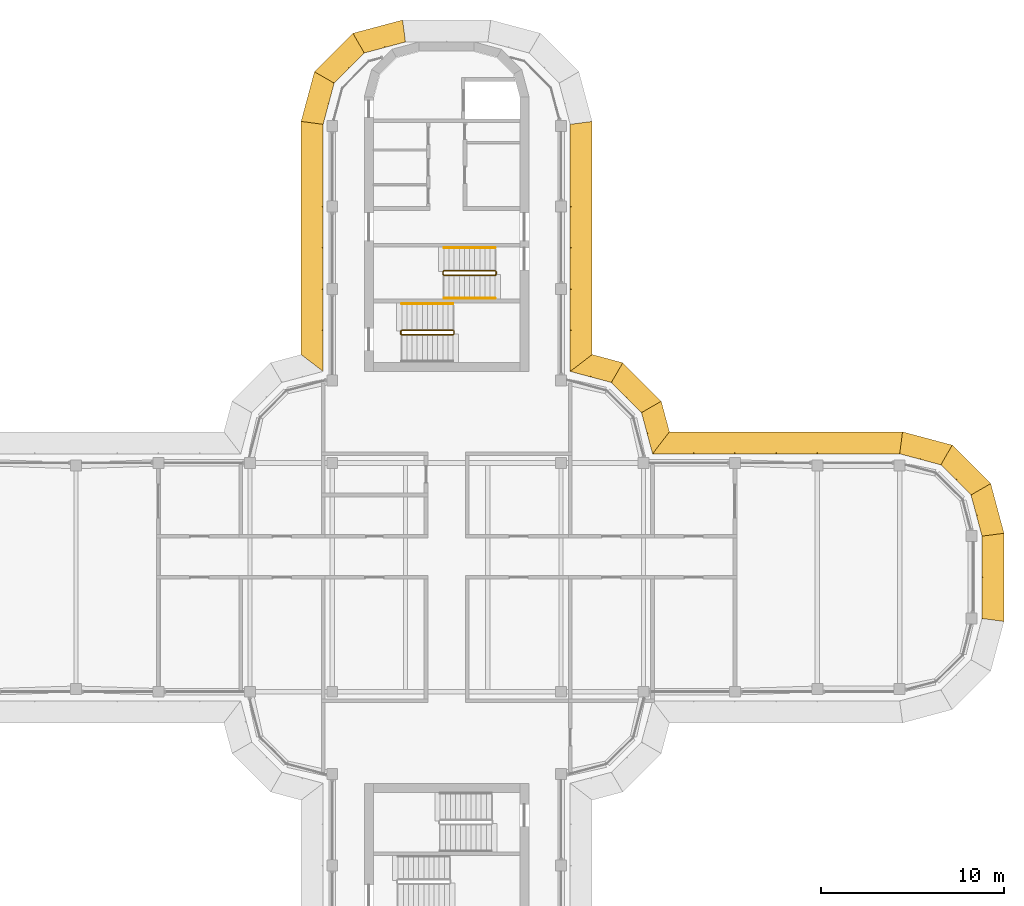
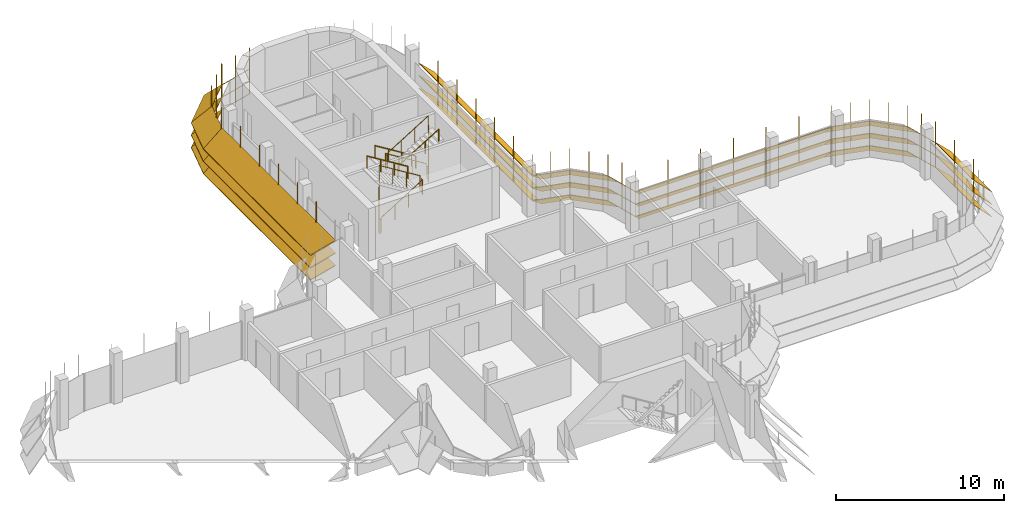
# One storey, part 18 of 19: 7 shading devices, 5 railings.
"""IFC4 building model written with IfcOpenShell, lengths in metres."""

from ifc_helpers import new_model, si_unit, direction, frame, origin, origin_2d, place, context, subcontext, project, spatial, polyline, circle, outline, extrude, faceted_brep, source, transform, mapped, material, type_object, element, save


model = new_model("IFC4")

# Units and contexts
model_context = context("Model", 3, precision=1e-05, world=origin(), true_north=direction((0.0, 1.0)))
body_context = subcontext(model_context, "Body", "Model", "MODEL_VIEW")
ifc_project = project(units=[si_unit("LENGTHUNIT", "METRE"), si_unit("AREAUNIT", "SQUARE_METRE"), si_unit("VOLUMEUNIT", "CUBIC_METRE"), si_unit("PLANEANGLEUNIT", "RADIAN"), si_unit("MASSUNIT", "GRAM", prefix="KILO")], contexts=[model_context])

# Site, building, storey
site_placement = place(None, origin())
site = spatial("IfcSite", under=ifc_project, at=site_placement, CompositionType="ELEMENT")
building_placement = place(site_placement, origin())
building = spatial("IfcBuilding", under=site, at=building_placement, Name="Zarbagh Exchange Tower", CompositionType="ELEMENT")
storey_placement = place(building_placement, frame((0.0, 0.0, 253.60009765625)))
storey = spatial("IfcBuildingStorey", under=building, at=storey_placement, Name="L62", CompositionType="ELEMENT", Elevation=253.60009765625)

# Railings
ifc_material_1 = material(Name="Stainless steel", Category="steel")
railing_type_1 = type_object("IfcRailingType", Name="Stair guard 1100 mm", PredefinedType="GUARDRAIL", material=ifc_material_1)
railing_1_placement = place(storey_placement, frame((2.64990234375, 16.75, 0.172607421875)))
element("IfcRailing", 1, at=railing_1_placement, inside=storey, type_object=railing_type_1, Name="ST1 stair guard 1", PredefinedType="GUARDRAIL", context=body_context, shape_type="SweptSolid", body=[
    extrude(circle(Radius=0.02392578125, at=origin_2d()), frame((0.0, 0.0, 1.076171875), z_axis=(-0.851069175582, 0.0, 0.525053576669), x_axis=(0.0, -1.0, 0.0)), (0.0, 0.0, 1.0), 3.289794921875),
    extrude(circle(Radius=0.02392578125, at=origin_2d()), frame((-2.7998046875, 0.0, 2.80322265625), z_axis=(-0.707106781187, -0.707106781187, 0.0), x_axis=(0.707106781187, -0.707106781187, 0.0)), (0.0, 0.0, 1.0), 0.07080078125),
    extrude(circle(Radius=0.02392578125, at=origin_2d()), frame((-2.849853515625, -0.050048828125, 2.80322265625), z_axis=(0.0, -1.0, 0.0), x_axis=(1.0, 0.0, 0.0)), (0.0, 0.0, 1.0), 0.14990234375),
    extrude(circle(Radius=0.02392578125, at=origin_2d()), frame((-2.849853515625, -0.199951171875, 2.80322265625), z_axis=(0.268277960024, -0.268277960024, 0.925231793839), x_axis=(0.707106781187, 0.707106781187, 0.0)), (0.0, 0.0, 1.0), 0.1865234375),
    extrude(circle(Radius=0.02392578125, at=origin_2d()), frame((-2.7998046875, -0.25, 2.97607421875), z_axis=(0.851069175582, 0.0, 0.525053576669), x_axis=(0.0, 1.0, 0.0)), (0.0, 0.0, 1.0), 3.289794921875),
    extrude(circle(Radius=0.02392578125, at=origin_2d()), frame((0.0, -0.25, 4.703125), z_axis=(0.013169136761, 0.013169136761, -0.999826558796), x_axis=(-0.707106781187, 0.707106781187, 0.0)), (0.0, 0.0, 1.0), 3.800537109375),
    extrude(circle(Radius=0.02392578125, at=origin_2d()), frame((0.050048828125, -0.199951171875, 0.9033203125), z_axis=(0.0, 1.0, 0.0), x_axis=(-1.0, 0.0, 0.0)), (0.0, 0.0, 1.0), 0.14990234375),
    extrude(circle(Radius=0.02099609375, at=origin_2d()), origin(), (0.0, 0.0, 1.0), 1.052001953125),
    extrude(circle(Radius=0.02099609375, at=origin_2d()), frame((-0.933349609375, 0.0, 0.57568359375)), (0.0, 0.0, 1.0), 1.052001953125),
    extrude(circle(Radius=0.02099609375, at=origin_2d()), frame((-1.866455078125, 0.0, 1.151611328125)), (0.0, 0.0, 1.0), 1.052001953125),
    extrude(circle(Radius=0.02099609375, at=origin_2d()), frame((-2.7998046875, 0.0, 1.727294921875)), (0.0, 0.0, 1.0), 1.052001953125),
    extrude(circle(Radius=0.02099609375, at=origin_2d()), frame((-2.849853515625, -0.050048828125, 1.727294921875)), (0.0, 0.0, 1.0), 1.052001953125),
    extrude(circle(Radius=0.02099609375, at=origin_2d()), frame((-2.849853515625, -0.199951171875, 1.727294921875)), (0.0, 0.0, 1.0), 1.052001953125),
    extrude(circle(Radius=0.02099609375, at=origin_2d()), frame((-2.7998046875, -0.25, 1.89990234375)), (0.0, 0.0, 1.0), 1.052001953125),
    extrude(circle(Radius=0.02099609375, at=origin_2d()), frame((-1.866455078125, -0.25, 2.4755859375)), (0.0, 0.0, 1.0), 1.052001953125),
    extrude(circle(Radius=0.02099609375, at=origin_2d()), frame((-0.933349609375, -0.25, 3.051513671875)), (0.0, 0.0, 1.0), 1.052001953125),
    extrude(circle(Radius=0.02099609375, at=origin_2d()), frame((0.0, -0.25, 3.627197265625)), (0.0, 0.0, 1.0), 1.052001953125),
    extrude(circle(Radius=0.02099609375, at=origin_2d()), frame((0.012451171875, -0.237548828125, 2.67724609375)), (0.0, 0.0, 1.0), 1.052001953125),
    extrude(circle(Radius=0.02099609375, at=origin_2d()), frame((0.02490234375, -0.22509765625, 1.727294921875)), (0.0, 0.0, 1.0), 1.052001953125),
    extrude(circle(Radius=0.02099609375, at=origin_2d()), frame((0.03759765625, -0.21240234375, 0.77734375)), (0.0, 0.0, 1.0), 1.052001953125),
    extrude(circle(Radius=0.02099609375, at=origin_2d()), frame((0.050048828125, -0.199951171875, -0.172607421875)), (0.0, 0.0, 1.0), 1.052001953125),
    extrude(circle(Radius=0.02099609375, at=origin_2d()), frame((0.050048828125, -0.050048828125, -0.172607421875)), (0.0, 0.0, 1.0), 1.052001953125),
])
railing_2_placement = place(storey_placement, frame((0.35009765625, 13.5, 2.072509765625)))
element("IfcRailing", 2, at=railing_2_placement, inside=storey, type_object=railing_type_1, Name="ST2 stair guard 1", PredefinedType="GUARDRAIL", context=body_context, shape_type="SweptSolid", body=[
    extrude(circle(Radius=0.02392578125, at=origin_2d()), frame((0.0, 0.0, 1.076171875), z_axis=(-0.851089632645, 0.0, 0.525020415988), x_axis=(0.0, -1.0, 0.0)), (0.0, 0.0, 1.0), 3.2900390625),
    extrude(circle(Radius=0.02392578125, at=origin_2d()), frame((-2.800048828125, 0.0, 2.80322265625), z_axis=(-0.013169136761, -0.013169136761, -0.999826558796), x_axis=(0.707106781187, -0.707106781187, 0.0)), (0.0, 0.0, 1.0), 3.800537109375),
    extrude(circle(Radius=0.02392578125, at=origin_2d()), frame((-2.85009765625, -0.050048828125, -0.99658203125), z_axis=(0.0, -1.0, 0.0), x_axis=(1.0, 0.0, 0.0)), (0.0, 0.0, 1.0), 0.14990234375),
    extrude(circle(Radius=0.02392578125, at=origin_2d()), frame((-2.85009765625, -0.199951171875, -0.99658203125), z_axis=(0.268277960024, -0.268277960024, 0.925231793839), x_axis=(0.707106781187, 0.707106781187, 0.0)), (0.0, 0.0, 1.0), 0.1865234375),
    extrude(circle(Radius=0.02392578125, at=origin_2d()), frame((-2.800048828125, -0.25, -0.82373046875), z_axis=(0.851089632645, 0.0, 0.525020415988), x_axis=(0.0, 1.0, 0.0)), (0.0, 0.0, 1.0), 3.2900390625),
    extrude(circle(Radius=0.02392578125, at=origin_2d()), frame((0.0, -0.25, 0.9033203125), z_axis=(0.705375805398, 0.708833529934, 0.0), x_axis=(-0.708833529934, 0.705375805398, 0.0)), (0.0, 0.0, 1.0), 0.070556640625),
    extrude(circle(Radius=0.02392578125, at=origin_2d()), frame((0.0498046875, -0.199951171875, 0.9033203125), z_axis=(0.0, 1.0, 0.0), x_axis=(-1.0, 0.0, 0.0)), (0.0, 0.0, 1.0), 0.14990234375),
    extrude(circle(Radius=0.02099609375, at=origin_2d()), origin(), (0.0, 0.0, 1.0), 1.052001953125),
    extrude(circle(Radius=0.02099609375, at=origin_2d()), frame((-0.933349609375, 0.0, 0.57568359375)), (0.0, 0.0, 1.0), 1.052001953125),
    extrude(circle(Radius=0.02099609375, at=origin_2d()), frame((-1.86669921875, 0.0, 1.151611328125)), (0.0, 0.0, 1.0), 1.052001953125),
    extrude(circle(Radius=0.02099609375, at=origin_2d()), frame((-2.800048828125, 0.0, 1.727294921875)), (0.0, 0.0, 1.0), 1.052001953125),
    extrude(circle(Radius=0.02099609375, at=origin_2d()), frame((-2.8125, -0.012451171875, 0.77734375)), (0.0, 0.0, 1.0), 1.052001953125),
    extrude(circle(Radius=0.02099609375, at=origin_2d()), frame((-2.8251953125, -0.02490234375, -0.172607421875)), (0.0, 0.0, 1.0), 1.052001953125),
    extrude(circle(Radius=0.02099609375, at=origin_2d()), frame((-2.837646484375, -0.03759765625, -1.12255859375)), (0.0, 0.0, 1.0), 1.052001953125),
    extrude(circle(Radius=0.02099609375, at=origin_2d()), frame((-2.85009765625, -0.050048828125, -2.072509765625)), (0.0, 0.0, 1.0), 1.052001953125),
    extrude(circle(Radius=0.02099609375, at=origin_2d()), frame((-2.85009765625, -0.199951171875, -2.072509765625)), (0.0, 0.0, 1.0), 1.052001953125),
    extrude(circle(Radius=0.02099609375, at=origin_2d()), frame((-2.800048828125, -0.25, -1.89990234375)), (0.0, 0.0, 1.0), 1.052001953125),
    extrude(circle(Radius=0.02099609375, at=origin_2d()), frame((-1.86669921875, -0.25, -1.32421875)), (0.0, 0.0, 1.0), 1.052001953125),
    extrude(circle(Radius=0.02099609375, at=origin_2d()), frame((-0.933349609375, -0.25, -0.748291015625)), (0.0, 0.0, 1.0), 1.052001953125),
    extrude(circle(Radius=0.02099609375, at=origin_2d()), frame((0.0, -0.25, -0.172607421875)), (0.0, 0.0, 1.0), 1.052001953125),
    extrude(circle(Radius=0.02099609375, at=origin_2d()), frame((0.0498046875, -0.199951171875, -0.172607421875)), (0.0, 0.0, 1.0), 1.052001953125),
    extrude(circle(Radius=0.02099609375, at=origin_2d()), frame((0.0498046875, -0.050048828125, -0.172607421875)), (0.0, 0.0, 1.0), 1.052001953125),
])
railing_type_2 = type_object("IfcRailingType", Name="Stair handrail 900 mm", PredefinedType="HANDRAIL", material=ifc_material_1)
railing_3_placement = place(storey_placement, frame((2.64990234375, 18.0, 0.172607421875)))
element("IfcRailing", 3, at=railing_3_placement, inside=storey, type_object=railing_type_2, Name="ST1 stair handrail 1", PredefinedType="HANDRAIL", context=body_context, shape_type="SweptSolid", body=[
    extrude(circle(Radius=0.02392578125, at=origin_2d()), frame((0.0, 0.0, 0.8759765625), z_axis=(-0.851069175582, 0.0, 0.525053576669), x_axis=(0.0, -1.0, 0.0)), (0.0, 0.0, 1.0), 3.289794921875),
    extrude(circle(Radius=0.02099609375, at=origin_2d()), origin(), (0.0, 0.0, 1.0), 0.851806640625),
    extrude(circle(Radius=0.02099609375, at=origin_2d()), frame((-0.933349609375, 0.0, 0.57568359375)), (0.0, 0.0, 1.0), 0.851806640625),
    extrude(circle(Radius=0.02099609375, at=origin_2d()), frame((-1.866455078125, 0.0, 1.151611328125)), (0.0, 0.0, 1.0), 0.851806640625),
    extrude(circle(Radius=0.02099609375, at=origin_2d()), frame((-2.7998046875, 0.0, 1.727294921875)), (0.0, 0.0, 1.0), 0.851806640625),
])
railing_4_placement = place(storey_placement, frame((-0.14990234375, 15.25, 2.072509765625)))
element("IfcRailing", 4, at=railing_4_placement, inside=storey, type_object=railing_type_2, Name="ST1 stair handrail 2", PredefinedType="HANDRAIL", context=body_context, shape_type="SweptSolid", body=[
    extrude(circle(Radius=0.02392578125, at=origin_2d()), frame((0.0, 0.0, 0.8759765625), z_axis=(0.851069175582, 0.0, 0.525053576669), x_axis=(0.0, 1.0, 0.0)), (0.0, 0.0, 1.0), 3.289794921875),
    extrude(circle(Radius=0.02099609375, at=origin_2d()), origin(), (0.0, 0.0, 1.0), 0.851806640625),
    extrude(circle(Radius=0.02099609375, at=origin_2d()), frame((0.933349609375, 0.0, 0.57568359375)), (0.0, 0.0, 1.0), 0.851806640625),
    extrude(circle(Radius=0.02099609375, at=origin_2d()), frame((1.866455078125, 0.0, 1.151611328125)), (0.0, 0.0, 1.0), 0.851806640625),
    extrude(circle(Radius=0.02099609375, at=origin_2d()), frame((2.7998046875, 0.0, 1.727294921875)), (0.0, 0.0, 1.0), 0.851806640625),
])
railing_5_placement = place(storey_placement, frame((0.35009765625, 14.949951171875, 2.072509765625)))
element("IfcRailing", 5, at=railing_5_placement, inside=storey, type_object=railing_type_2, Name="ST2 stair handrail 2", PredefinedType="HANDRAIL", context=body_context, shape_type="SweptSolid", body=[
    extrude(circle(Radius=0.02392578125, at=origin_2d()), frame((0.0, 0.0, 0.8759765625), z_axis=(-0.851089632645, 0.0, 0.525020415988), x_axis=(0.0, -1.0, 0.0)), (0.0, 0.0, 1.0), 3.2900390625),
    extrude(circle(Radius=0.02099609375, at=origin_2d()), origin(), (0.0, 0.0, 1.0), 0.851806640625),
    extrude(circle(Radius=0.02099609375, at=origin_2d()), frame((-0.933349609375, 0.0, 0.57568359375)), (0.0, 0.0, 1.0), 0.851806640625),
    extrude(circle(Radius=0.02099609375, at=origin_2d()), frame((-1.86669921875, 0.0, 1.151611328125)), (0.0, 0.0, 1.0), 0.851806640625),
    extrude(circle(Radius=0.02099609375, at=origin_2d()), frame((-2.800048828125, 0.0, 1.727294921875)), (0.0, 0.0, 1.0), 0.851806640625),
])

# Shading devices
ifc_material_2 = material(Name="Anodised aluminium blades and brackets", Category="aluminium")
shading_device_type = type_object("IfcShadingDeviceType", Name="SUNSHADE louvre band, 45 degree blades", PredefinedType="JALOUSIE", material=ifc_material_2)
shared_shape_1 = source(origin(), body_context, "Body", "Brep", [
    faceted_brep([(0.0, 0.0, 0.0), (0.0, 0.0, -0.056640625), (-0.157958984375, -1.199951171875, -1.256591796875), (-0.157958984375, -1.199951171875, -1.199951171875), (2.65087890625, -1.199951171875, -1.199951171875), (2.65087890625, -1.199951171875, -1.256591796875), (2.329345703125, 0.0, -0.056640625), (2.329345703125, 0.0, 0.0)], [[[0, 1, 2, 3]], [[4, 5, 6, 7]], [[0, 7, 6, 1]], [[1, 6, 5, 2]], [[2, 5, 4, 3]], [[3, 4, 7, 0]]]),
])
shared_shape_2 = source(origin(), body_context, "Body", "Brep", [
    faceted_brep([(0.0, 0.0, 0.0), (0.0, 0.0, -0.056640625), (-0.321533203125, -1.199951171875, -1.256591796875), (-0.321533203125, -1.199951171875, -1.199951171875), (2.65087890625, -1.199951171875, -1.199951171875), (2.65087890625, -1.199951171875, -1.256591796875), (2.329345703125, 0.0, -0.056640625), (2.329345703125, 0.0, 0.0)], [[[0, 1, 2, 3]], [[4, 5, 6, 7]], [[0, 7, 6, 1]], [[1, 6, 5, 2]], [[2, 5, 4, 3]], [[3, 4, 7, 0]]]),
])
shared_shape_3 = source(origin(), body_context, "Body", "Brep", [
    faceted_brep([(0.0, 0.0, 0.0), (0.0, 0.0, -0.056640625), (-0.321533203125, -1.199951171875, -1.256591796875), (-0.321533203125, -1.199951171875, -1.199951171875), (2.4873046875, -1.199951171875, -1.199951171875), (2.4873046875, -1.199951171875, -1.256591796875), (2.329345703125, 0.0, -0.056640625), (2.329345703125, 0.0, 0.0)], [[[0, 1, 2, 3]], [[4, 5, 6, 7]], [[0, 7, 6, 1]], [[1, 6, 5, 2]], [[2, 5, 4, 3]], [[3, 4, 7, 0]]]),
])
shared_shape_4 = source(origin(), body_context, "Body", "SweptSolid", [
    extrude(outline(polyline([(0.0, -0.012451171875), (0.06005859375, -0.012451171875), (0.06005859375, 0.012451171875), (0.0, 0.012451171875), (0.0, -0.012451171875)])), origin(), (0.0, 0.0, 1.0), 3.366455078125),
])
placement = place(storey_placement, origin())
element("IfcShadingDevice", 6, at=placement, inside=storey, type_object=shading_device_type, Name="SS53 sunshade band", PredefinedType="JALOUSIE", context=body_context, shape_type="MappedRepresentation", body=[
    mapped(shared_shape_1, transform((29.25, 2.25, 2.2998046875), x_axis=(-0.258824779902, 0.965924289636, 0.0), y_axis=(-0.965924289636, -0.258824779902, 0.0), z_axis=(0.0, 0.0, 1.0))),
    mapped(shared_shape_1, transform((29.25, 2.25, 1.39990234375), x_axis=(-0.258824779902, 0.965924289636, 0.0), y_axis=(-0.965924289636, -0.258824779902, 0.0), z_axis=(0.0, 0.0, 1.0))),
    mapped(shared_shape_1, transform((29.25, 2.25, 0.5), x_axis=(-0.258824779902, 0.965924289636, 0.0), y_axis=(-0.965924289636, -0.258824779902, 0.0), z_axis=(0.0, 0.0, 1.0))),
    mapped(shared_shape_2, transform((28.647216796875, 4.5, 2.2998046875), x_axis=(-0.707106781187, 0.707106781187, 0.0), y_axis=(-0.707106781187, -0.707106781187, 0.0), z_axis=(0.0, 0.0, 1.0))),
    mapped(shared_shape_2, transform((28.647216796875, 4.5, 1.39990234375), x_axis=(-0.707106781187, 0.707106781187, 0.0), y_axis=(-0.707106781187, -0.707106781187, 0.0), z_axis=(0.0, 0.0, 1.0))),
    mapped(shared_shape_2, transform((28.647216796875, 4.5, 0.5), x_axis=(-0.707106781187, 0.707106781187, 0.0), y_axis=(-0.707106781187, -0.707106781187, 0.0), z_axis=(0.0, 0.0, 1.0))),
    mapped(shared_shape_3, transform((27.0, 6.147216796875, 2.2998046875), x_axis=(-0.965924289636, 0.258824779902, 0.0), y_axis=(-0.258824779902, -0.965924289636, 0.0), z_axis=(0.0, 0.0, 1.0))),
    mapped(shared_shape_3, transform((27.0, 6.147216796875, 1.39990234375), x_axis=(-0.965924289636, 0.258824779902, 0.0), y_axis=(-0.258824779902, -0.965924289636, 0.0), z_axis=(0.0, 0.0, 1.0))),
    mapped(shared_shape_3, transform((27.0, 6.147216796875, 0.5), x_axis=(-0.965924289636, 0.258824779902, 0.0), y_axis=(-0.258824779902, -0.965924289636, 0.0), z_axis=(0.0, 0.0, 1.0))),
    mapped(shared_shape_4, transform((29.25, 2.25, 0.413330078125), x_axis=(0.991444457092, 0.130529263012, 0.0), y_axis=(-0.130529263012, 0.991444457092, 0.0), z_axis=(0.0, 0.0, 1.0))),
    mapped(shared_shape_4, transform((28.948486328125, 3.375, 0.413330078125), x_axis=(0.96592421511, 0.258825058029, 0.0), y_axis=(-0.258825058029, 0.96592421511, 0.0), z_axis=(0.0, 0.0, 1.0))),
    mapped(shared_shape_4, transform((28.647216796875, 4.5, 0.413330078125), x_axis=(0.866023812018, 0.50000275701, 0.0), y_axis=(-0.50000275701, 0.866023812018, 0.0), z_axis=(0.0, 0.0, 1.0))),
    mapped(shared_shape_4, transform((27.823486328125, 5.323486328125, 0.413330078125), x_axis=(0.707106781187, 0.707106781187, 0.0), y_axis=(-0.707106781187, 0.707106781187, 0.0), z_axis=(0.0, 0.0, 1.0))),
    mapped(shared_shape_4, transform((27.0, 6.147216796875, 0.413330078125), x_axis=(0.50000275701, 0.866023812018, 0.0), y_axis=(-0.866023812018, 0.50000275701, 0.0), z_axis=(0.0, 0.0, 1.0))),
    mapped(shared_shape_4, transform((25.875, 6.448486328125, 0.413330078125), x_axis=(0.258825058029, 0.96592421511, 0.0), y_axis=(-0.96592421511, 0.258825058029, 0.0), z_axis=(0.0, 0.0, 1.0))),
])
element("IfcShadingDevice", 7, at=placement, inside=storey, type_object=shading_device_type, Name="SS48 sunshade band", PredefinedType="JALOUSIE", context=body_context, shape_type="MappedRepresentation", body=[
    mapped(shared_shape_1, transform((-2.25, 29.25, 2.2998046875), x_axis=(-0.965924289636, -0.258824779902, 0.0), y_axis=(0.258824779902, -0.965924289636, 0.0), z_axis=(0.0, 0.0, 1.0))),
    mapped(shared_shape_1, transform((-2.25, 29.25, 1.39990234375), x_axis=(-0.965924289636, -0.258824779902, 0.0), y_axis=(0.258824779902, -0.965924289636, 0.0), z_axis=(0.0, 0.0, 1.0))),
    mapped(shared_shape_1, transform((-2.25, 29.25, 0.5), x_axis=(-0.965924289636, -0.258824779902, 0.0), y_axis=(0.258824779902, -0.965924289636, 0.0), z_axis=(0.0, 0.0, 1.0))),
    mapped(shared_shape_2, transform((-4.5, 28.647216796875, 2.2998046875), x_axis=(-0.707106781187, -0.707106781187, 0.0), y_axis=(0.707106781187, -0.707106781187, 0.0), z_axis=(0.0, 0.0, 1.0))),
    mapped(shared_shape_2, transform((-4.5, 28.647216796875, 1.39990234375), x_axis=(-0.707106781187, -0.707106781187, 0.0), y_axis=(0.707106781187, -0.707106781187, 0.0), z_axis=(0.0, 0.0, 1.0))),
    mapped(shared_shape_2, transform((-4.5, 28.647216796875, 0.5), x_axis=(-0.707106781187, -0.707106781187, 0.0), y_axis=(0.707106781187, -0.707106781187, 0.0), z_axis=(0.0, 0.0, 1.0))),
    mapped(shared_shape_3, transform((-6.147216796875, 27.0, 2.2998046875), x_axis=(-0.258824779902, -0.965924289636, 0.0), y_axis=(0.965924289636, -0.258824779902, 0.0), z_axis=(0.0, 0.0, 1.0))),
    mapped(shared_shape_3, transform((-6.147216796875, 27.0, 1.39990234375), x_axis=(-0.258824779902, -0.965924289636, 0.0), y_axis=(0.965924289636, -0.258824779902, 0.0), z_axis=(0.0, 0.0, 1.0))),
    mapped(shared_shape_3, transform((-6.147216796875, 27.0, 0.5), x_axis=(-0.258824779902, -0.965924289636, 0.0), y_axis=(0.965924289636, -0.258824779902, 0.0), z_axis=(0.0, 0.0, 1.0))),
    mapped(shared_shape_4, transform((-2.25, 29.25, 0.413330078125), x_axis=(-0.130529263012, 0.991444457092, 0.0), y_axis=(-0.991444457092, -0.130529263012, 0.0), z_axis=(0.0, 0.0, 1.0))),
    mapped(shared_shape_4, transform((-3.375, 28.948486328125, 0.413330078125), x_axis=(-0.258825058029, 0.96592421511, 0.0), y_axis=(-0.96592421511, -0.258825058029, 0.0), z_axis=(0.0, 0.0, 1.0))),
    mapped(shared_shape_4, transform((-4.5, 28.647216796875, 0.413330078125), x_axis=(-0.50000275701, 0.866023812018, 0.0), y_axis=(-0.866023812018, -0.50000275701, 0.0), z_axis=(0.0, 0.0, 1.0))),
    mapped(shared_shape_4, transform((-5.323486328125, 27.823486328125, 0.413330078125), x_axis=(-0.707106781187, 0.707106781187, 0.0), y_axis=(-0.707106781187, -0.707106781187, 0.0), z_axis=(0.0, 0.0, 1.0))),
    mapped(shared_shape_4, transform((-6.147216796875, 27.0, 0.413330078125), x_axis=(-0.866023812018, 0.50000275701, 0.0), y_axis=(-0.50000275701, -0.866023812018, 0.0), z_axis=(0.0, 0.0, 1.0))),
    mapped(shared_shape_4, transform((-6.448486328125, 25.875, 0.413330078125), x_axis=(-0.96592421511, 0.258825058029, 0.0), y_axis=(-0.258825058029, -0.96592421511, 0.0), z_axis=(0.0, 0.0, 1.0))),
])
shared_shape_5 = source(origin(), body_context, "Body", "Brep", [
    faceted_brep([(0.0, 0.0, 0.0), (0.0, 0.0, -0.056640625), (0.9208984375, -1.199951171875, -1.256591796875), (0.9208984375, -1.199951171875, -1.199951171875), (2.65087890625, -1.199951171875, -1.199951171875), (2.65087890625, -1.199951171875, -1.256591796875), (2.329345703125, 0.0, -0.056640625), (2.329345703125, 0.0, 0.0)], [[[0, 1, 2, 3]], [[4, 5, 6, 7]], [[0, 7, 6, 1]], [[1, 6, 5, 2]], [[2, 5, 4, 3]], [[3, 4, 7, 0]]]),
])
shared_shape_6 = source(origin(), body_context, "Body", "Brep", [
    faceted_brep([(0.0, 0.0, 0.0), (0.0, 0.0, -0.056640625), (-0.321533203125, -1.199951171875, -1.256591796875), (-0.321533203125, -1.199951171875, -1.199951171875), (1.40869140625, -1.199951171875, -1.199951171875), (1.40869140625, -1.199951171875, -1.256591796875), (2.329345703125, 0.0, -0.056640625), (2.329345703125, 0.0, 0.0)], [[[0, 1, 2, 3]], [[4, 5, 6, 7]], [[0, 7, 6, 1]], [[1, 6, 5, 2]], [[2, 5, 4, 3]], [[3, 4, 7, 0]]]),
])
element("IfcShadingDevice", 8, at=placement, inside=storey, type_object=shading_device_type, Name="SS09 sunshade band", PredefinedType="JALOUSIE", context=body_context, shape_type="MappedRepresentation", body=[
    mapped(shared_shape_5, transform((11.25, 6.75, 2.2998046875), x_axis=(-0.258824779902, 0.965924289636, 0.0), y_axis=(-0.965924289636, -0.258824779902, 0.0), z_axis=(0.0, 0.0, 1.0))),
    mapped(shared_shape_5, transform((11.25, 6.75, 1.39990234375), x_axis=(-0.258824779902, 0.965924289636, 0.0), y_axis=(-0.965924289636, -0.258824779902, 0.0), z_axis=(0.0, 0.0, 1.0))),
    mapped(shared_shape_5, transform((11.25, 6.75, 0.5), x_axis=(-0.258824779902, 0.965924289636, 0.0), y_axis=(-0.965924289636, -0.258824779902, 0.0), z_axis=(0.0, 0.0, 1.0))),
    mapped(shared_shape_2, transform((10.647216796875, 9.0, 2.2998046875), x_axis=(-0.707106781187, 0.707106781187, 0.0), y_axis=(-0.707106781187, -0.707106781187, 0.0), z_axis=(0.0, 0.0, 1.0))),
    mapped(shared_shape_2, transform((10.647216796875, 9.0, 1.39990234375), x_axis=(-0.707106781187, 0.707106781187, 0.0), y_axis=(-0.707106781187, -0.707106781187, 0.0), z_axis=(0.0, 0.0, 1.0))),
    mapped(shared_shape_2, transform((10.647216796875, 9.0, 0.5), x_axis=(-0.707106781187, 0.707106781187, 0.0), y_axis=(-0.707106781187, -0.707106781187, 0.0), z_axis=(0.0, 0.0, 1.0))),
    mapped(shared_shape_6, transform((9.0, 10.647216796875, 2.2998046875), x_axis=(-0.965924289636, 0.258824779902, 0.0), y_axis=(-0.258824779902, -0.965924289636, 0.0), z_axis=(0.0, 0.0, 1.0))),
    mapped(shared_shape_6, transform((9.0, 10.647216796875, 1.39990234375), x_axis=(-0.965924289636, 0.258824779902, 0.0), y_axis=(-0.258824779902, -0.965924289636, 0.0), z_axis=(0.0, 0.0, 1.0))),
    mapped(shared_shape_6, transform((9.0, 10.647216796875, 0.5), x_axis=(-0.965924289636, 0.258824779902, 0.0), y_axis=(-0.258824779902, -0.965924289636, 0.0), z_axis=(0.0, 0.0, 1.0))),
    mapped(shared_shape_4, transform((11.25, 6.75, 0.413330078125), x_axis=(0.608758892, 0.793355287, 0.0), y_axis=(-0.793355287, 0.608758892, 0.0), z_axis=(0.0, 0.0, 1.0))),
    mapped(shared_shape_4, transform((10.948486328125, 7.875, 0.413330078125), x_axis=(0.96592421511, 0.258825058029, 0.0), y_axis=(-0.258825058029, 0.96592421511, 0.0), z_axis=(0.0, 0.0, 1.0))),
    mapped(shared_shape_4, transform((10.647216796875, 9.0, 0.413330078125), x_axis=(0.866023812018, 0.50000275701, 0.0), y_axis=(-0.50000275701, 0.866023812018, 0.0), z_axis=(0.0, 0.0, 1.0))),
    mapped(shared_shape_4, transform((9.823486328125, 9.823486328125, 0.413330078125), x_axis=(0.707106781187, 0.707106781187, 0.0), y_axis=(-0.707106781187, 0.707106781187, 0.0), z_axis=(0.0, 0.0, 1.0))),
    mapped(shared_shape_4, transform((9.0, 10.647216796875, 0.413330078125), x_axis=(0.50000275701, 0.866023812018, 0.0), y_axis=(-0.866023812018, 0.50000275701, 0.0), z_axis=(0.0, 0.0, 1.0))),
    mapped(shared_shape_4, transform((7.875, 10.948486328125, 0.413330078125), x_axis=(0.258825058029, 0.96592421511, 0.0), y_axis=(-0.96592421511, 0.258825058029, 0.0), z_axis=(0.0, 0.0, 1.0))),
])
shared_shape_7 = source(origin(), body_context, "Body", "Brep", [
    faceted_brep([(0.0, 0.0, 0.0), (0.0, 0.0, -0.056640625), (-0.157958984375, -1.199951171875, -1.256591796875), (-0.157958984375, -1.199951171875, -1.199951171875), (4.657958984375, -1.199951171875, -1.199951171875), (4.657958984375, -1.199951171875, -1.256591796875), (4.5, 0.0, -0.056640625), (4.5, 0.0, 0.0)], [[[0, 1, 2, 3]], [[4, 5, 6, 7]], [[0, 7, 6, 1]], [[1, 6, 5, 2]], [[2, 5, 4, 3]], [[3, 4, 7, 0]]]),
])
element("IfcShadingDevice", 9, at=placement, inside=storey, type_object=shading_device_type, Name="SS52 sunshade band", PredefinedType="JALOUSIE", context=body_context, shape_type="MappedRepresentation", body=[
    mapped(shared_shape_7, transform((29.25, -2.25, 2.2998046875), x_axis=(0.0, 1.0, 0.0), y_axis=(-1.0, 0.0, 0.0), z_axis=(0.0, 0.0, 1.0))),
    mapped(shared_shape_7, transform((29.25, -2.25, 1.39990234375), x_axis=(0.0, 1.0, 0.0), y_axis=(-1.0, 0.0, 0.0), z_axis=(0.0, 0.0, 1.0))),
    mapped(shared_shape_7, transform((29.25, -2.25, 0.5), x_axis=(0.0, 1.0, 0.0), y_axis=(-1.0, 0.0, 0.0), z_axis=(0.0, 0.0, 1.0))),
    mapped(shared_shape_4, transform((29.25, -2.25, 0.413330078125), x_axis=(0.991444457092, -0.130529263012, 0.0), y_axis=(0.130529263012, 0.991444457092, 0.0), z_axis=(0.0, 0.0, 1.0))),
    mapped(shared_shape_4, transform((29.25, 0.0, 0.413330078125), x_axis=(1.0, 0.0, 0.0), y_axis=(0.0, 1.0, 0.0), z_axis=(0.0, 0.0, 1.0))),
])
shared_shape_8 = source(origin(), body_context, "Body", "Brep", [
    faceted_brep([(0.0, 0.0, 0.0), (0.0, 0.0, -0.056640625), (-0.157958984375, -1.199951171875, -1.256591796875), (-0.157958984375, -1.199951171875, -1.199951171875), (12.5791015625, -1.199951171875, -1.199951171875), (12.5791015625, -1.199951171875, -1.256591796875), (13.5, 0.0, -0.056640625), (13.5, 0.0, 0.0)], [[[0, 1, 2, 3]], [[4, 5, 6, 7]], [[0, 7, 6, 1]], [[1, 6, 5, 2]], [[2, 5, 4, 3]], [[3, 4, 7, 0]]]),
])
element("IfcShadingDevice", 10, at=placement, inside=storey, type_object=shading_device_type, Name="SS54 sunshade band", PredefinedType="JALOUSIE", context=body_context, shape_type="MappedRepresentation", body=[
    mapped(shared_shape_8, transform((24.75, 6.75, 2.2998046875), x_axis=(-1.0, 0.0, 0.0), y_axis=(0.0, -1.0, 0.0), z_axis=(0.0, 0.0, 1.0))),
    mapped(shared_shape_8, transform((24.75, 6.75, 1.39990234375), x_axis=(-1.0, 0.0, 0.0), y_axis=(0.0, -1.0, 0.0), z_axis=(0.0, 0.0, 1.0))),
    mapped(shared_shape_8, transform((24.75, 6.75, 0.5), x_axis=(-1.0, 0.0, 0.0), y_axis=(0.0, -1.0, 0.0), z_axis=(0.0, 0.0, 1.0))),
    mapped(shared_shape_4, transform((24.75, 6.75, 0.413330078125), x_axis=(0.130529263012, 0.991444457092, 0.0), y_axis=(-0.991444457092, 0.130529263012, 0.0), z_axis=(0.0, 0.0, 1.0))),
    mapped(shared_shape_4, transform((22.5, 6.75, 0.413330078125), x_axis=(0.0, 1.0, 0.0), y_axis=(-1.0, 0.0, 0.0), z_axis=(0.0, 0.0, 1.0))),
    mapped(shared_shape_4, transform((20.25, 6.75, 0.413330078125), x_axis=(0.0, 1.0, 0.0), y_axis=(-1.0, 0.0, 0.0), z_axis=(0.0, 0.0, 1.0))),
    mapped(shared_shape_4, transform((18.0, 6.75, 0.413330078125), x_axis=(0.0, 1.0, 0.0), y_axis=(-1.0, 0.0, 0.0), z_axis=(0.0, 0.0, 1.0))),
    mapped(shared_shape_4, transform((15.75, 6.75, 0.413330078125), x_axis=(0.0, 1.0, 0.0), y_axis=(-1.0, 0.0, 0.0), z_axis=(0.0, 0.0, 1.0))),
    mapped(shared_shape_4, transform((13.5, 6.75, 0.413330078125), x_axis=(0.0, 1.0, 0.0), y_axis=(-1.0, 0.0, 0.0), z_axis=(0.0, 0.0, 1.0))),
])
shared_shape_9 = source(origin(), body_context, "Body", "Brep", [
    faceted_brep([(0.0, 0.0, 0.0), (0.0, 0.0, -0.056640625), (0.9208984375, -1.199951171875, -1.256591796875), (0.9208984375, -1.199951171875, -1.199951171875), (13.657958984375, -1.199951171875, -1.199951171875), (13.657958984375, -1.199951171875, -1.256591796875), (13.5, 0.0, -0.056640625), (13.5, 0.0, 0.0)], [[[0, 1, 2, 3]], [[4, 5, 6, 7]], [[0, 7, 6, 1]], [[1, 6, 5, 2]], [[2, 5, 4, 3]], [[3, 4, 7, 0]]]),
])
element("IfcShadingDevice", 11, at=placement, inside=storey, type_object=shading_device_type, Name="SS45 sunshade band", PredefinedType="JALOUSIE", context=body_context, shape_type="MappedRepresentation", body=[
    mapped(shared_shape_9, transform((6.75, 11.25, 2.2998046875), x_axis=(0.0, 1.0, 0.0), y_axis=(-1.0, 0.0, 0.0), z_axis=(0.0, 0.0, 1.0))),
    mapped(shared_shape_9, transform((6.75, 11.25, 1.39990234375), x_axis=(0.0, 1.0, 0.0), y_axis=(-1.0, 0.0, 0.0), z_axis=(0.0, 0.0, 1.0))),
    mapped(shared_shape_9, transform((6.75, 11.25, 0.5), x_axis=(0.0, 1.0, 0.0), y_axis=(-1.0, 0.0, 0.0), z_axis=(0.0, 0.0, 1.0))),
    mapped(shared_shape_4, transform((6.75, 11.25, 0.413330078125), x_axis=(0.793355287, 0.608758892, 0.0), y_axis=(-0.608758892, 0.793355287, 0.0), z_axis=(0.0, 0.0, 1.0))),
    mapped(shared_shape_4, transform((6.75, 13.5, 0.413330078125), x_axis=(1.0, 0.0, 0.0), y_axis=(0.0, 1.0, 0.0), z_axis=(0.0, 0.0, 1.0))),
    mapped(shared_shape_4, transform((6.75, 15.75, 0.413330078125), x_axis=(1.0, 0.0, 0.0), y_axis=(0.0, 1.0, 0.0), z_axis=(0.0, 0.0, 1.0))),
    mapped(shared_shape_4, transform((6.75, 18.0, 0.413330078125), x_axis=(1.0, 0.0, 0.0), y_axis=(0.0, 1.0, 0.0), z_axis=(0.0, 0.0, 1.0))),
    mapped(shared_shape_4, transform((6.75, 20.25, 0.413330078125), x_axis=(1.0, 0.0, 0.0), y_axis=(0.0, 1.0, 0.0), z_axis=(0.0, 0.0, 1.0))),
    mapped(shared_shape_4, transform((6.75, 22.5, 0.413330078125), x_axis=(1.0, 0.0, 0.0), y_axis=(0.0, 1.0, 0.0), z_axis=(0.0, 0.0, 1.0))),
])
element("IfcShadingDevice", 12, at=placement, inside=storey, type_object=shading_device_type, Name="SS49 sunshade band", PredefinedType="JALOUSIE", context=body_context, shape_type="MappedRepresentation", body=[
    mapped(shared_shape_8, transform((-6.75, 24.75, 2.2998046875), x_axis=(0.0, -1.0, 0.0), y_axis=(1.0, 0.0, 0.0), z_axis=(0.0, 0.0, 1.0))),
    mapped(shared_shape_8, transform((-6.75, 24.75, 1.39990234375), x_axis=(0.0, -1.0, 0.0), y_axis=(1.0, 0.0, 0.0), z_axis=(0.0, 0.0, 1.0))),
    mapped(shared_shape_8, transform((-6.75, 24.75, 0.5), x_axis=(0.0, -1.0, 0.0), y_axis=(1.0, 0.0, 0.0), z_axis=(0.0, 0.0, 1.0))),
    mapped(shared_shape_4, transform((-6.75, 24.75, 0.413330078125), x_axis=(-0.991444457092, 0.130529263012, 0.0), y_axis=(-0.130529263012, -0.991444457092, 0.0), z_axis=(0.0, 0.0, 1.0))),
    mapped(shared_shape_4, transform((-6.75, 22.5, 0.413330078125), x_axis=(-1.0, 0.0, 0.0), y_axis=(0.0, -1.0, 0.0), z_axis=(0.0, 0.0, 1.0))),
    mapped(shared_shape_4, transform((-6.75, 20.25, 0.413330078125), x_axis=(-1.0, 0.0, 0.0), y_axis=(0.0, -1.0, 0.0), z_axis=(0.0, 0.0, 1.0))),
    mapped(shared_shape_4, transform((-6.75, 18.0, 0.413330078125), x_axis=(-1.0, 0.0, 0.0), y_axis=(0.0, -1.0, 0.0), z_axis=(0.0, 0.0, 1.0))),
    mapped(shared_shape_4, transform((-6.75, 15.75, 0.413330078125), x_axis=(-1.0, 0.0, 0.0), y_axis=(0.0, -1.0, 0.0), z_axis=(0.0, 0.0, 1.0))),
    mapped(shared_shape_4, transform((-6.75, 13.5, 0.413330078125), x_axis=(-1.0, 0.0, 0.0), y_axis=(0.0, -1.0, 0.0), z_axis=(0.0, 0.0, 1.0))),
])

save(model, "model.ifc")
